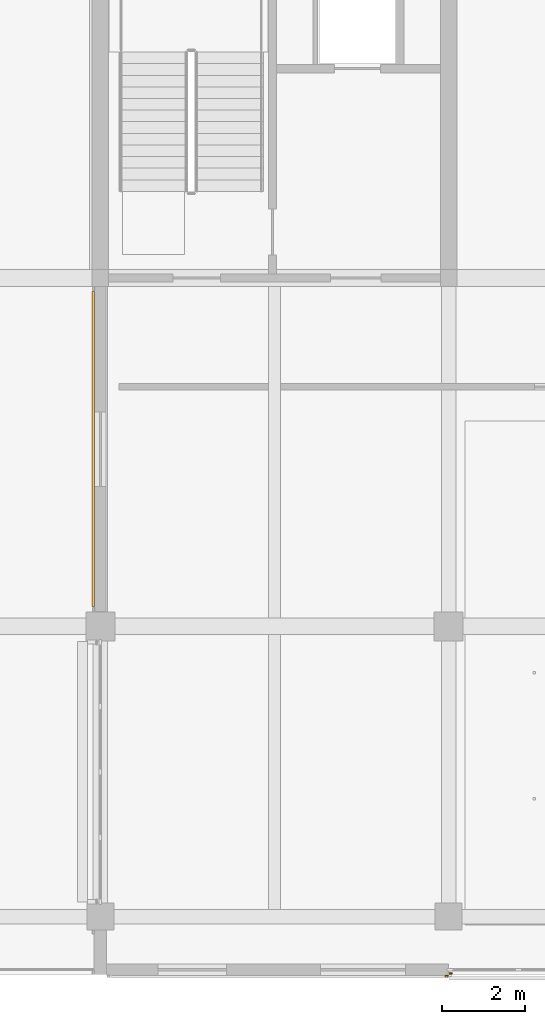
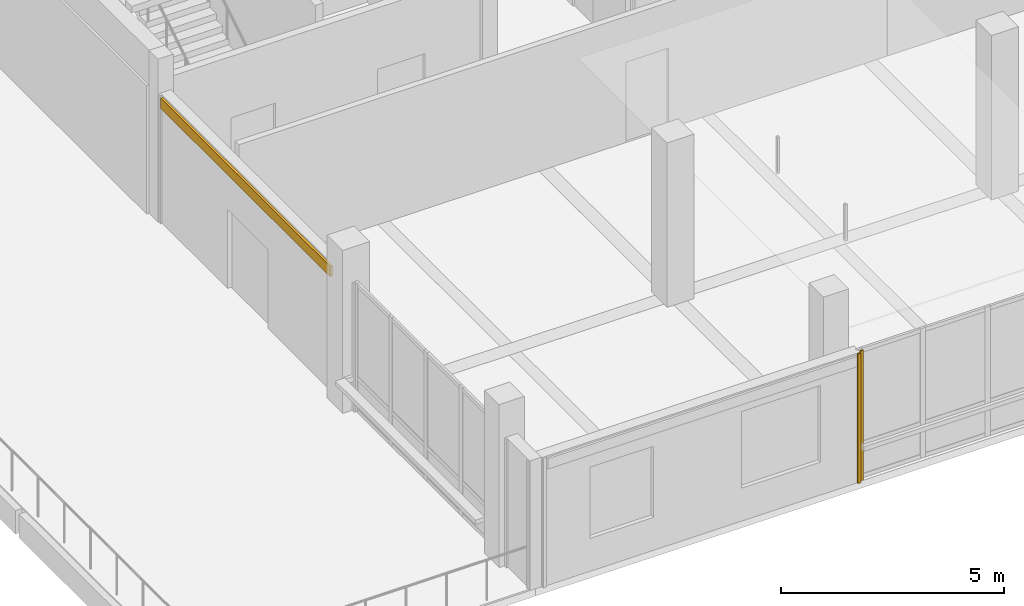
# One storey, part 17 of 28: 3 coverings.
"""IFC4 building model written with IfcOpenShell, lengths in metres."""

from ifc_helpers import new_model, si_unit, direction, frame, origin, origin_2d, place, context, subcontext, project, spatial, rectangle, extrude, material, layer, layer_set, type_object, element, save


model = new_model("IFC4")

# Units and contexts
model_context = context("Model", 3, precision=1e-05, world=origin(), true_north=direction((0.0, 1.0)))
body_context = subcontext(model_context, "Body", "Model", "MODEL_VIEW")
ifc_project = project(units=[si_unit("LENGTHUNIT", "METRE"), si_unit("AREAUNIT", "SQUARE_METRE"), si_unit("VOLUMEUNIT", "CUBIC_METRE"), si_unit("PLANEANGLEUNIT", "RADIAN"), si_unit("MASSUNIT", "GRAM", prefix="KILO")], contexts=[model_context])

# Site, building, storey
site_placement = place(None, origin())
site = spatial("IfcSite", under=ifc_project, at=site_placement, CompositionType="ELEMENT")
building_placement = place(site_placement, origin())
building = spatial("IfcBuilding", under=site, at=building_placement, Name="Telukmera Botanical Conservatory", CompositionType="ELEMENT")
storey_placement = place(building_placement, frame((0.0, 0.0, 51.0)))
storey = spatial("IfcBuildingStorey", under=building, at=storey_placement, Name="L11", CompositionType="ELEMENT", Elevation=51.0)

# Coverings
ifc_material_1 = material(Name="Granite-faced precast concrete C40/50", Category="masonry")
ifc_layer_1 = layer(ifc_material_1, 0.0400390625)
ifc_layer_set_1 = layer_set([ifc_layer_1], Name="Granite-faced precast concrete C40/50")
covering_type_1 = type_object("IfcCoveringType", Name="Granite Precast Column Pier Reveal Casing", PredefinedType="CLADDING", material=ifc_layer_set_1)
for number, where, z_axis, x_axis, name in (
    (1, (67.14794921875, 9.159912109375, 0.0), (0.0, 0.0, 1.0), (1.0, 0.0, 0.0), "Granite Pier Reveal V4:L11:S1 R"),
    (2, (67.251953125, 9.22998046875, 0.0), (0.0, 0.0, 1.0), (1.0, 0.0, 0.0), "Granite Pier Reveal V4:L11:S2 L"),
):
    element("IfcCovering", number, at=place(storey_placement, frame(where, z_axis=z_axis, x_axis=x_axis)), inside=storey, type_object=covering_type_1, Name=name, PredefinedType="CLADDING", context=body_context, shape_type="SweptSolid", body=[
        extrude(rectangle(XDim=0.080078125, YDim=0.0400390625, at=origin_2d()), origin(), (0.0, 0.0, 1.0), 3.550048828125),
    ])
ifc_material_2 = material(Name="Terracotta-faced precast concrete C40/50", Category="masonry")
ifc_layer_2 = layer(ifc_material_2, 0.06005859375)
ifc_layer_set_2 = layer_set([ifc_layer_2], Name="Terracotta-faced precast concrete C40/50")
covering_type_2 = type_object("IfcCoveringType", Name="Polychrome Terracotta Facade Band Cladding", PredefinedType="CLADDING", material=ifc_layer_set_2)
covering_placement = place(storey_placement, frame((58.6298828125, 21.875, 3.22998046875), z_axis=(0.0, 0.0, 1.0), x_axis=(0.0, 1.0, 0.0)))
element("IfcCovering", 3, at=covering_placement, inside=storey, type_object=covering_type_2, Name="Polychrome Terracotta Band V4:L11:W2", PredefinedType="CLADDING", context=body_context, shape_type="SweptSolid", body=[
    extrude(rectangle(XDim=7.60595703125, YDim=0.06005859375, at=origin_2d()), origin(), (0.0, 0.0, 1.0), 0.280029296875),
])

save(model, "model.ifc")
